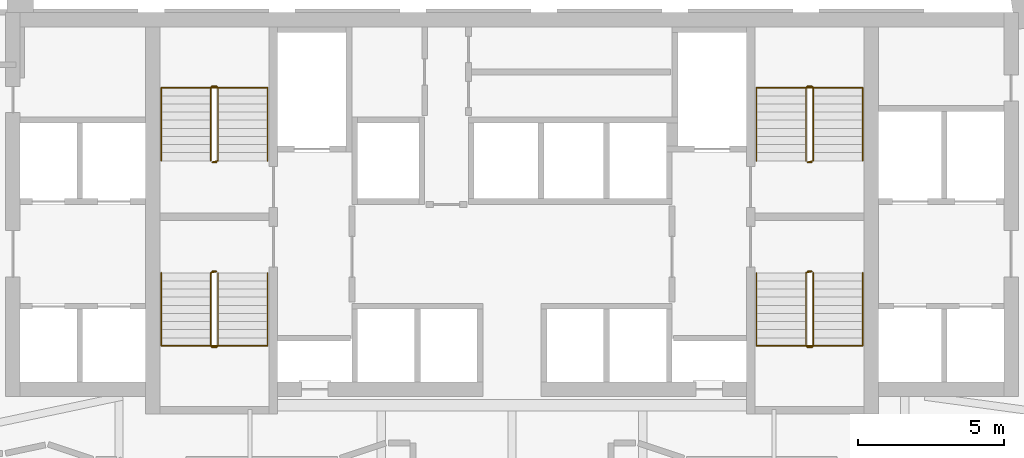
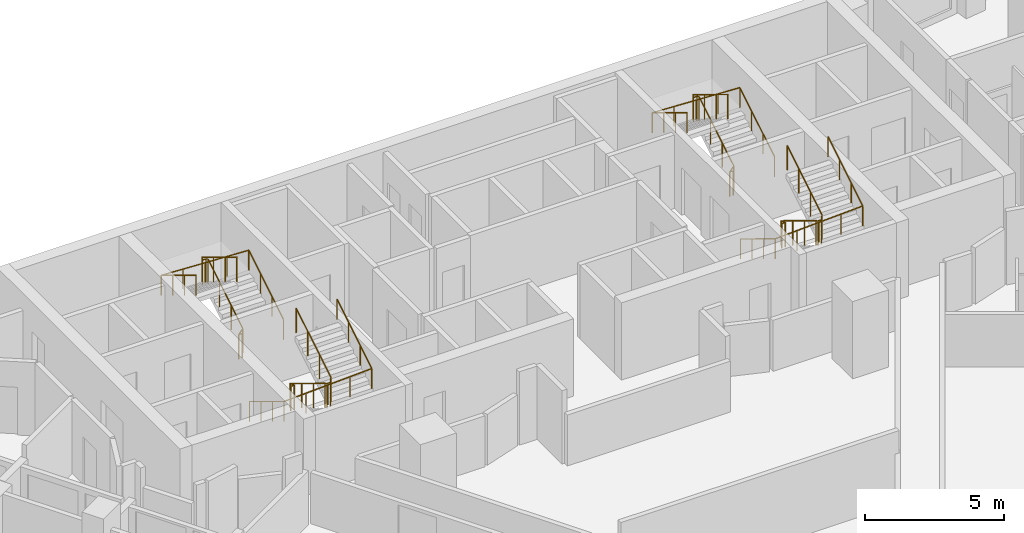
# One storey, part 11 of 11: 8 railings.
"""IFC4 building model written with IfcOpenShell, lengths in metres."""

from ifc_helpers import new_model, si_unit, direction, frame, origin, origin_2d, place, context, subcontext, project, spatial, circle, extrude, material, type_object, element, save


model = new_model("IFC4")

# Units and contexts
model_context = context("Model", 3, precision=1e-05, world=origin(), true_north=direction((0.0, 1.0)))
body_context = subcontext(model_context, "Body", "Model", "MODEL_VIEW")
ifc_project = project(units=[si_unit("LENGTHUNIT", "METRE"), si_unit("AREAUNIT", "SQUARE_METRE"), si_unit("VOLUMEUNIT", "CUBIC_METRE"), si_unit("PLANEANGLEUNIT", "RADIAN"), si_unit("MASSUNIT", "GRAM", prefix="KILO")], contexts=[model_context])

# Site, building, storey
site_placement = place(None, origin())
site = spatial("IfcSite", under=ifc_project, at=site_placement, CompositionType="ELEMENT")
building_placement = place(site_placement, origin())
building = spatial("IfcBuilding", under=site, at=building_placement, Name="Calabash Gate Tower", CompositionType="ELEMENT")
storey_placement = place(building_placement, frame((0.0, 0.0, 122.39990234375)))
storey = spatial("IfcBuildingStorey", under=building, at=storey_placement, Name="L28", CompositionType="ELEMENT", Elevation=122.39990234375)

# Railings
ifc_material_1 = material(Name="Black powder-coated steel balusters", Category="steel")
railing_type_1 = type_object("IfcRailingType", Name="Stair guard RL1100", PredefinedType="GUARDRAIL", material=ifc_material_1)
railing_1_placement = place(storey_placement, frame((-10.14990234375, 13.902587890625, 0.0)))
element("IfcRailing", 1, at=railing_1_placement, inside=storey, type_object=railing_type_1, Name="L28 ST1 stair guard 1", PredefinedType="GUARDRAIL", context=body_context, shape_type="SweptSolid", body=[
    extrude(circle(Radius=0.02392578125, at=origin_2d()), frame((0.0, 0.0, 1.076171875), z_axis=(-1.0, 0.0, 0.0), x_axis=(0.0, -1.0, 0.0)), (0.0, 0.0, 1.0), 0.150146484375),
    extrude(circle(Radius=0.02392578125, at=origin_2d()), frame((-0.150146484375, 0.0, 1.076171875), z_axis=(0.748079357382, 0.187248190798, 0.636643848712), x_axis=(-0.242814311512, 0.970072785993, 0.0)), (0.0, 0.0, 1.0), 0.267333984375),
    extrude(circle(Radius=0.02392578125, at=origin_2d()), frame((0.0498046875, 0.050048828125, 1.24609375), z_axis=(0.0, 0.853956361026, 0.520344629514), x_axis=(-1.0, 0.0, 0.0)), (0.0, 0.0, 1.0), 2.9404296875),
    extrude(circle(Radius=0.02392578125, at=origin_2d()), frame((0.0498046875, 2.56103515625, 2.7763671875), z_axis=(-0.705375805398, 0.708833529934, 0.0), x_axis=(-0.708833529934, -0.705375805398, 0.0)), (0.0, 0.0, 1.0), 0.070556640625),
    extrude(circle(Radius=0.02392578125, at=origin_2d()), frame((0.0, 2.611083984375, 2.7763671875), z_axis=(-1.0, 0.0, 0.0), x_axis=(0.0, -1.0, 0.0)), (0.0, 0.0, 1.0), 0.150146484375),
    extrude(circle(Radius=0.02392578125, at=origin_2d()), frame((-0.150146484375, 2.611083984375, 2.7763671875), z_axis=(-0.271895245746, -0.271895245746, 0.923117517265), x_axis=(0.707106781187, -0.707106781187, 0.0)), (0.0, 0.0, 1.0), 0.18408203125),
    extrude(circle(Radius=0.02392578125, at=origin_2d()), frame((-0.2001953125, 2.56103515625, 2.9462890625), z_axis=(0.0, -0.853956361026, 0.520344629514), x_axis=(1.0, 0.0, 0.0)), (0.0, 0.0, 1.0), 2.9404296875),
    extrude(circle(Radius=0.02099609375, at=origin_2d()), origin(), (0.0, 0.0, 1.0), 1.052001953125),
    extrude(circle(Radius=0.02099609375, at=origin_2d()), frame((-0.150146484375, 0.0, 0.0)), (0.0, 0.0, 1.0), 1.052001953125),
    extrude(circle(Radius=0.02099609375, at=origin_2d()), frame((0.0498046875, 0.050048828125, 0.170166015625)), (0.0, 0.0, 1.0), 1.052001953125),
    extrude(circle(Radius=0.02099609375, at=origin_2d()), frame((0.0498046875, 0.886962890625, 0.68017578125)), (0.0, 0.0, 1.0), 1.052001953125),
    extrude(circle(Radius=0.02099609375, at=origin_2d()), frame((0.0498046875, 1.72412109375, 1.190185546875)), (0.0, 0.0, 1.0), 1.052001953125),
    extrude(circle(Radius=0.02099609375, at=origin_2d()), frame((0.0498046875, 2.56103515625, 1.7001953125)), (0.0, 0.0, 1.0), 1.052001953125),
    extrude(circle(Radius=0.02099609375, at=origin_2d()), frame((0.0, 2.611083984375, 1.7001953125)), (0.0, 0.0, 1.0), 1.052001953125),
    extrude(circle(Radius=0.02099609375, at=origin_2d()), frame((-0.150146484375, 2.611083984375, 1.7001953125)), (0.0, 0.0, 1.0), 1.052001953125),
    extrude(circle(Radius=0.02099609375, at=origin_2d()), frame((-0.2001953125, 2.56103515625, 1.8701171875)), (0.0, 0.0, 1.0), 1.052001953125),
    extrude(circle(Radius=0.02099609375, at=origin_2d()), frame((-0.2001953125, 1.72412109375, 2.380126953125)), (0.0, 0.0, 1.0), 1.052001953125),
    extrude(circle(Radius=0.02099609375, at=origin_2d()), frame((-0.2001953125, 0.886962890625, 2.89013671875)), (0.0, 0.0, 1.0), 1.052001953125),
    extrude(circle(Radius=0.02099609375, at=origin_2d()), frame((-0.2001953125, 0.050048828125, 3.400146484375)), (0.0, 0.0, 1.0), 1.052001953125),
])
railing_2_placement = place(storey_placement, frame((-10.300048828125, 10.152587890625, 0.0)))
element("IfcRailing", 2, at=railing_2_placement, inside=storey, type_object=railing_type_1, Name="L28 ST2 stair guard 1", PredefinedType="GUARDRAIL", context=body_context, shape_type="SweptSolid", body=[
    extrude(circle(Radius=0.02392578125, at=origin_2d()), frame((0.0, 0.0, 1.076171875), z_axis=(1.0, 0.0, 0.0), x_axis=(0.0, 1.0, 0.0)), (0.0, 0.0, 1.0), 0.150146484375),
    extrude(circle(Radius=0.02392578125, at=origin_2d()), frame((0.150146484375, 0.0, 1.076171875), z_axis=(-0.748481188565, -0.187120297141, 0.63620901028), x_axis=(0.242535625036, -0.970142500145, 0.0)), (0.0, 0.0, 1.0), 0.267578125),
    extrude(circle(Radius=0.02392578125, at=origin_2d()), frame((-0.050048828125, -0.050048828125, 1.24609375), z_axis=(0.0, -0.853956361026, 0.520344629514), x_axis=(1.0, 0.0, 0.0)), (0.0, 0.0, 1.0), 2.9404296875),
    extrude(circle(Radius=0.02392578125, at=origin_2d()), frame((-0.050048828125, -2.56103515625, 2.7763671875), z_axis=(0.707106781187, -0.707106781187, 0.0), x_axis=(0.707106781187, 0.707106781187, 0.0)), (0.0, 0.0, 1.0), 0.07080078125),
    extrude(circle(Radius=0.02392578125, at=origin_2d()), frame((0.0, -2.611083984375, 2.7763671875), z_axis=(1.0, 0.0, 0.0), x_axis=(0.0, 1.0, 0.0)), (0.0, 0.0, 1.0), 0.150146484375),
    extrude(circle(Radius=0.02392578125, at=origin_2d()), frame((0.150146484375, -2.611083984375, 2.7763671875), z_axis=(0.270666314514, 0.271993110173, 0.92344977893), x_axis=(-0.708833529934, 0.705375805398, 0.0)), (0.0, 0.0, 1.0), 0.18408203125),
    extrude(circle(Radius=0.02392578125, at=origin_2d()), frame((0.199951171875, -2.56103515625, 2.9462890625), z_axis=(0.0, 0.853956361026, 0.520344629514), x_axis=(-1.0, 0.0, 0.0)), (0.0, 0.0, 1.0), 2.9404296875),
    extrude(circle(Radius=0.02099609375, at=origin_2d()), origin(), (0.0, 0.0, 1.0), 1.052001953125),
    extrude(circle(Radius=0.02099609375, at=origin_2d()), frame((0.150146484375, 0.0, 0.0)), (0.0, 0.0, 1.0), 1.052001953125),
    extrude(circle(Radius=0.02099609375, at=origin_2d()), frame((-0.050048828125, -0.050048828125, 0.170166015625)), (0.0, 0.0, 1.0), 1.052001953125),
    extrude(circle(Radius=0.02099609375, at=origin_2d()), frame((-0.050048828125, -0.886962890625, 0.68017578125)), (0.0, 0.0, 1.0), 1.052001953125),
    extrude(circle(Radius=0.02099609375, at=origin_2d()), frame((-0.050048828125, -1.72412109375, 1.190185546875)), (0.0, 0.0, 1.0), 1.052001953125),
    extrude(circle(Radius=0.02099609375, at=origin_2d()), frame((-0.050048828125, -2.56103515625, 1.7001953125)), (0.0, 0.0, 1.0), 1.052001953125),
    extrude(circle(Radius=0.02099609375, at=origin_2d()), frame((0.0, -2.611083984375, 1.7001953125)), (0.0, 0.0, 1.0), 1.052001953125),
    extrude(circle(Radius=0.02099609375, at=origin_2d()), frame((0.150146484375, -2.611083984375, 1.7001953125)), (0.0, 0.0, 1.0), 1.052001953125),
    extrude(circle(Radius=0.02099609375, at=origin_2d()), frame((0.199951171875, -2.56103515625, 1.8701171875)), (0.0, 0.0, 1.0), 1.052001953125),
    extrude(circle(Radius=0.02099609375, at=origin_2d()), frame((0.199951171875, -1.72412109375, 2.380126953125)), (0.0, 0.0, 1.0), 1.052001953125),
    extrude(circle(Radius=0.02099609375, at=origin_2d()), frame((0.199951171875, -0.886962890625, 2.89013671875)), (0.0, 0.0, 1.0), 1.052001953125),
    extrude(circle(Radius=0.02099609375, at=origin_2d()), frame((0.199951171875, -0.050048828125, 3.400146484375)), (0.0, 0.0, 1.0), 1.052001953125),
])
railing_3_placement = place(storey_placement, frame((10.300048828125, 13.902587890625, 0.0)))
element("IfcRailing", 3, at=railing_3_placement, inside=storey, type_object=railing_type_1, Name="L28 ST3 stair guard 1", PredefinedType="GUARDRAIL", context=body_context, shape_type="SweptSolid", body=[
    extrude(circle(Radius=0.02392578125, at=origin_2d()), frame((0.0, 0.0, 1.076171875), z_axis=(-1.0, 0.0, 0.0), x_axis=(0.0, -1.0, 0.0)), (0.0, 0.0, 1.0), 0.150146484375),
    extrude(circle(Radius=0.02392578125, at=origin_2d()), frame((-0.150146484375, 0.0, 1.076171875), z_axis=(0.748481188565, 0.187120297141, 0.63620901028), x_axis=(-0.242535625036, 0.970142500145, 0.0)), (0.0, 0.0, 1.0), 0.267578125),
    extrude(circle(Radius=0.02392578125, at=origin_2d()), frame((0.050048828125, 0.050048828125, 1.24609375), z_axis=(0.0, 0.853956361026, 0.520344629514), x_axis=(-1.0, 0.0, 0.0)), (0.0, 0.0, 1.0), 2.9404296875),
    extrude(circle(Radius=0.02392578125, at=origin_2d()), frame((0.050048828125, 2.56103515625, 2.7763671875), z_axis=(-0.707106781187, 0.707106781187, 0.0), x_axis=(-0.707106781187, -0.707106781187, 0.0)), (0.0, 0.0, 1.0), 0.07080078125),
    extrude(circle(Radius=0.02392578125, at=origin_2d()), frame((0.0, 2.611083984375, 2.7763671875), z_axis=(-1.0, 0.0, 0.0), x_axis=(0.0, -1.0, 0.0)), (0.0, 0.0, 1.0), 0.150146484375),
    extrude(circle(Radius=0.02392578125, at=origin_2d()), frame((-0.150146484375, 2.611083984375, 2.7763671875), z_axis=(-0.270666314514, -0.271993110173, 0.92344977893), x_axis=(0.708833529934, -0.705375805398, 0.0)), (0.0, 0.0, 1.0), 0.18408203125),
    extrude(circle(Radius=0.02392578125, at=origin_2d()), frame((-0.199951171875, 2.56103515625, 2.9462890625), z_axis=(0.0, -0.853956361026, 0.520344629514), x_axis=(1.0, 0.0, 0.0)), (0.0, 0.0, 1.0), 2.9404296875),
    extrude(circle(Radius=0.02099609375, at=origin_2d()), origin(), (0.0, 0.0, 1.0), 1.052001953125),
    extrude(circle(Radius=0.02099609375, at=origin_2d()), frame((-0.150146484375, 0.0, 0.0)), (0.0, 0.0, 1.0), 1.052001953125),
    extrude(circle(Radius=0.02099609375, at=origin_2d()), frame((0.050048828125, 0.050048828125, 0.170166015625)), (0.0, 0.0, 1.0), 1.052001953125),
    extrude(circle(Radius=0.02099609375, at=origin_2d()), frame((0.050048828125, 0.886962890625, 0.68017578125)), (0.0, 0.0, 1.0), 1.052001953125),
    extrude(circle(Radius=0.02099609375, at=origin_2d()), frame((0.050048828125, 1.72412109375, 1.190185546875)), (0.0, 0.0, 1.0), 1.052001953125),
    extrude(circle(Radius=0.02099609375, at=origin_2d()), frame((0.050048828125, 2.56103515625, 1.7001953125)), (0.0, 0.0, 1.0), 1.052001953125),
    extrude(circle(Radius=0.02099609375, at=origin_2d()), frame((0.0, 2.611083984375, 1.7001953125)), (0.0, 0.0, 1.0), 1.052001953125),
    extrude(circle(Radius=0.02099609375, at=origin_2d()), frame((-0.150146484375, 2.611083984375, 1.7001953125)), (0.0, 0.0, 1.0), 1.052001953125),
    extrude(circle(Radius=0.02099609375, at=origin_2d()), frame((-0.199951171875, 2.56103515625, 1.8701171875)), (0.0, 0.0, 1.0), 1.052001953125),
    extrude(circle(Radius=0.02099609375, at=origin_2d()), frame((-0.199951171875, 1.72412109375, 2.380126953125)), (0.0, 0.0, 1.0), 1.052001953125),
    extrude(circle(Radius=0.02099609375, at=origin_2d()), frame((-0.199951171875, 0.886962890625, 2.89013671875)), (0.0, 0.0, 1.0), 1.052001953125),
    extrude(circle(Radius=0.02099609375, at=origin_2d()), frame((-0.199951171875, 0.050048828125, 3.400146484375)), (0.0, 0.0, 1.0), 1.052001953125),
])
railing_4_placement = place(storey_placement, frame((10.14990234375, 10.152587890625, 0.0)))
element("IfcRailing", 4, at=railing_4_placement, inside=storey, type_object=railing_type_1, Name="L28 ST4 stair guard 1", PredefinedType="GUARDRAIL", context=body_context, shape_type="SweptSolid", body=[
    extrude(circle(Radius=0.02392578125, at=origin_2d()), frame((0.0, 0.0, 1.076171875), z_axis=(1.0, 0.0, 0.0), x_axis=(0.0, 1.0, 0.0)), (0.0, 0.0, 1.0), 0.150146484375),
    extrude(circle(Radius=0.02392578125, at=origin_2d()), frame((0.150146484375, 0.0, 1.076171875), z_axis=(-0.748079357382, -0.187248190798, 0.636643848712), x_axis=(0.242814311512, -0.970072785993, 0.0)), (0.0, 0.0, 1.0), 0.267333984375),
    extrude(circle(Radius=0.02392578125, at=origin_2d()), frame((-0.0498046875, -0.050048828125, 1.24609375), z_axis=(0.0, -0.853956361026, 0.520344629514), x_axis=(1.0, 0.0, 0.0)), (0.0, 0.0, 1.0), 2.9404296875),
    extrude(circle(Radius=0.02392578125, at=origin_2d()), frame((-0.0498046875, -2.56103515625, 2.7763671875), z_axis=(0.705375805398, -0.708833529934, 0.0), x_axis=(0.708833529934, 0.705375805398, 0.0)), (0.0, 0.0, 1.0), 0.070556640625),
    extrude(circle(Radius=0.02392578125, at=origin_2d()), frame((0.0, -2.611083984375, 2.7763671875), z_axis=(1.0, 0.0, 0.0), x_axis=(0.0, 1.0, 0.0)), (0.0, 0.0, 1.0), 0.150146484375),
    extrude(circle(Radius=0.02392578125, at=origin_2d()), frame((0.150146484375, -2.611083984375, 2.7763671875), z_axis=(0.271895245746, 0.271895245746, 0.923117517265), x_axis=(-0.707106781187, 0.707106781187, 0.0)), (0.0, 0.0, 1.0), 0.18408203125),
    extrude(circle(Radius=0.02392578125, at=origin_2d()), frame((0.2001953125, -2.56103515625, 2.9462890625), z_axis=(0.0, 0.853956361026, 0.520344629514), x_axis=(-1.0, 0.0, 0.0)), (0.0, 0.0, 1.0), 2.9404296875),
    extrude(circle(Radius=0.02099609375, at=origin_2d()), origin(), (0.0, 0.0, 1.0), 1.052001953125),
    extrude(circle(Radius=0.02099609375, at=origin_2d()), frame((0.150146484375, 0.0, 0.0)), (0.0, 0.0, 1.0), 1.052001953125),
    extrude(circle(Radius=0.02099609375, at=origin_2d()), frame((-0.0498046875, -0.050048828125, 0.170166015625)), (0.0, 0.0, 1.0), 1.052001953125),
    extrude(circle(Radius=0.02099609375, at=origin_2d()), frame((-0.0498046875, -0.886962890625, 0.68017578125)), (0.0, 0.0, 1.0), 1.052001953125),
    extrude(circle(Radius=0.02099609375, at=origin_2d()), frame((-0.0498046875, -1.72412109375, 1.190185546875)), (0.0, 0.0, 1.0), 1.052001953125),
    extrude(circle(Radius=0.02099609375, at=origin_2d()), frame((-0.0498046875, -2.56103515625, 1.7001953125)), (0.0, 0.0, 1.0), 1.052001953125),
    extrude(circle(Radius=0.02099609375, at=origin_2d()), frame((0.0, -2.611083984375, 1.7001953125)), (0.0, 0.0, 1.0), 1.052001953125),
    extrude(circle(Radius=0.02099609375, at=origin_2d()), frame((0.150146484375, -2.611083984375, 1.7001953125)), (0.0, 0.0, 1.0), 1.052001953125),
    extrude(circle(Radius=0.02099609375, at=origin_2d()), frame((0.2001953125, -2.56103515625, 1.8701171875)), (0.0, 0.0, 1.0), 1.052001953125),
    extrude(circle(Radius=0.02099609375, at=origin_2d()), frame((0.2001953125, -1.72412109375, 2.380126953125)), (0.0, 0.0, 1.0), 1.052001953125),
    extrude(circle(Radius=0.02099609375, at=origin_2d()), frame((0.2001953125, -0.886962890625, 2.89013671875)), (0.0, 0.0, 1.0), 1.052001953125),
    extrude(circle(Radius=0.02099609375, at=origin_2d()), frame((0.2001953125, -0.050048828125, 3.400146484375)), (0.0, 0.0, 1.0), 1.052001953125),
])
ifc_material_2 = material(Name="Black powder-coated steel tube 48 mm", Category="steel")
railing_type_2 = type_object("IfcRailingType", Name="Stair handrail RL900", PredefinedType="HANDRAIL", material=ifc_material_2)
railing_5_placement = place(storey_placement, frame((-8.39990234375, 13.95263671875, 0.170166015625)))
element("IfcRailing", 5, at=railing_5_placement, inside=storey, type_object=railing_type_2, Name="L28 ST1 stair handrail 1", PredefinedType="HANDRAIL", context=body_context, shape_type="SweptSolid", body=[
    extrude(circle(Radius=0.02392578125, at=origin_2d()), frame((0.0, 0.0, 0.8759765625), z_axis=(0.0, 0.853956361026, 0.520344629514), x_axis=(-1.0, 0.0, 0.0)), (0.0, 0.0, 1.0), 2.9404296875),
    extrude(circle(Radius=0.02392578125, at=origin_2d()), frame((0.0, 2.510986328125, 2.40576171875), z_axis=(-0.998918210324, 0.0, 0.046501710547), x_axis=(0.0, -1.0, 0.0)), (0.0, 0.0, 1.0), 3.654052734375),
    extrude(circle(Radius=0.02392578125, at=origin_2d()), frame((-3.650146484375, 2.510986328125, 2.57568359375), z_axis=(0.0, -0.853956361026, 0.520344629514), x_axis=(1.0, 0.0, 0.0)), (0.0, 0.0, 1.0), 2.9404296875),
    extrude(circle(Radius=0.02099609375, at=origin_2d()), origin(), (0.0, 0.0, 1.0), 0.851806640625),
    extrude(circle(Radius=0.02099609375, at=origin_2d()), frame((0.0, 0.8369140625, 0.510009765625)), (0.0, 0.0, 1.0), 0.851806640625),
    extrude(circle(Radius=0.02099609375, at=origin_2d()), frame((0.0, 1.674072265625, 1.02001953125)), (0.0, 0.0, 1.0), 0.851806640625),
    extrude(circle(Radius=0.02099609375, at=origin_2d()), frame((0.0, 2.510986328125, 1.530029296875)), (0.0, 0.0, 1.0), 0.851806640625),
    extrude(circle(Radius=0.02099609375, at=origin_2d()), frame((-0.91259765625, 2.510986328125, 1.572509765625)), (0.0, 0.0, 1.0), 0.851806640625),
    extrude(circle(Radius=0.02099609375, at=origin_2d()), frame((-1.8251953125, 2.510986328125, 1.614990234375)), (0.0, 0.0, 1.0), 0.851806640625),
    extrude(circle(Radius=0.02099609375, at=origin_2d()), frame((-2.737548828125, 2.510986328125, 1.657470703125)), (0.0, 0.0, 1.0), 0.851806640625),
    extrude(circle(Radius=0.02099609375, at=origin_2d()), frame((-3.650146484375, 2.510986328125, 1.699951171875)), (0.0, 0.0, 1.0), 0.851806640625),
    extrude(circle(Radius=0.02099609375, at=origin_2d()), frame((-3.650146484375, 1.674072265625, 2.2099609375)), (0.0, 0.0, 1.0), 0.851806640625),
    extrude(circle(Radius=0.02099609375, at=origin_2d()), frame((-3.650146484375, 0.8369140625, 2.719970703125)), (0.0, 0.0, 1.0), 0.851806640625),
    extrude(circle(Radius=0.02099609375, at=origin_2d()), frame((-3.650146484375, 0.0, 3.22998046875)), (0.0, 0.0, 1.0), 0.851806640625),
])
railing_6_placement = place(storey_placement, frame((-12.050048828125, 10.1025390625, 0.170166015625)))
element("IfcRailing", 6, at=railing_6_placement, inside=storey, type_object=railing_type_2, Name="L28 ST2 stair handrail 1", PredefinedType="HANDRAIL", context=body_context, shape_type="SweptSolid", body=[
    extrude(circle(Radius=0.02392578125, at=origin_2d()), frame((0.0, 0.0, 0.8759765625), z_axis=(0.0, -0.853956361026, 0.520344629514), x_axis=(1.0, 0.0, 0.0)), (0.0, 0.0, 1.0), 2.9404296875),
    extrude(circle(Radius=0.02392578125, at=origin_2d()), frame((0.0, -2.510986328125, 2.40576171875), z_axis=(0.998918210324, 0.0, 0.046501710547), x_axis=(0.0, 1.0, 0.0)), (0.0, 0.0, 1.0), 3.654052734375),
    extrude(circle(Radius=0.02392578125, at=origin_2d()), frame((3.650146484375, -2.510986328125, 2.57568359375), z_axis=(0.0, 0.853956361026, 0.520344629514), x_axis=(-1.0, 0.0, 0.0)), (0.0, 0.0, 1.0), 2.9404296875),
    extrude(circle(Radius=0.02099609375, at=origin_2d()), origin(), (0.0, 0.0, 1.0), 0.851806640625),
    extrude(circle(Radius=0.02099609375, at=origin_2d()), frame((0.0, -0.8369140625, 0.510009765625)), (0.0, 0.0, 1.0), 0.851806640625),
    extrude(circle(Radius=0.02099609375, at=origin_2d()), frame((0.0, -1.674072265625, 1.02001953125)), (0.0, 0.0, 1.0), 0.851806640625),
    extrude(circle(Radius=0.02099609375, at=origin_2d()), frame((0.0, -2.510986328125, 1.530029296875)), (0.0, 0.0, 1.0), 0.851806640625),
    extrude(circle(Radius=0.02099609375, at=origin_2d()), frame((0.91259765625, -2.510986328125, 1.572509765625)), (0.0, 0.0, 1.0), 0.851806640625),
    extrude(circle(Radius=0.02099609375, at=origin_2d()), frame((1.8251953125, -2.510986328125, 1.614990234375)), (0.0, 0.0, 1.0), 0.851806640625),
    extrude(circle(Radius=0.02099609375, at=origin_2d()), frame((2.737548828125, -2.510986328125, 1.657470703125)), (0.0, 0.0, 1.0), 0.851806640625),
    extrude(circle(Radius=0.02099609375, at=origin_2d()), frame((3.650146484375, -2.510986328125, 1.699951171875)), (0.0, 0.0, 1.0), 0.851806640625),
    extrude(circle(Radius=0.02099609375, at=origin_2d()), frame((3.650146484375, -1.674072265625, 2.2099609375)), (0.0, 0.0, 1.0), 0.851806640625),
    extrude(circle(Radius=0.02099609375, at=origin_2d()), frame((3.650146484375, -0.8369140625, 2.719970703125)), (0.0, 0.0, 1.0), 0.851806640625),
    extrude(circle(Radius=0.02099609375, at=origin_2d()), frame((3.650146484375, 0.0, 3.22998046875)), (0.0, 0.0, 1.0), 0.851806640625),
])
railing_7_placement = place(storey_placement, frame((12.050048828125, 13.95263671875, 0.170166015625)))
element("IfcRailing", 7, at=railing_7_placement, inside=storey, type_object=railing_type_2, Name="L28 ST3 stair handrail 1", PredefinedType="HANDRAIL", context=body_context, shape_type="SweptSolid", body=[
    extrude(circle(Radius=0.02392578125, at=origin_2d()), frame((0.0, 0.0, 0.8759765625), z_axis=(0.0, 0.853956361026, 0.520344629514), x_axis=(-1.0, 0.0, 0.0)), (0.0, 0.0, 1.0), 2.9404296875),
    extrude(circle(Radius=0.02392578125, at=origin_2d()), frame((0.0, 2.510986328125, 2.40576171875), z_axis=(-0.998918210324, 0.0, 0.046501710547), x_axis=(0.0, -1.0, 0.0)), (0.0, 0.0, 1.0), 3.654052734375),
    extrude(circle(Radius=0.02392578125, at=origin_2d()), frame((-3.650146484375, 2.510986328125, 2.57568359375), z_axis=(0.0, -0.853956361026, 0.520344629514), x_axis=(1.0, 0.0, 0.0)), (0.0, 0.0, 1.0), 2.9404296875),
    extrude(circle(Radius=0.02099609375, at=origin_2d()), origin(), (0.0, 0.0, 1.0), 0.851806640625),
    extrude(circle(Radius=0.02099609375, at=origin_2d()), frame((0.0, 0.8369140625, 0.510009765625)), (0.0, 0.0, 1.0), 0.851806640625),
    extrude(circle(Radius=0.02099609375, at=origin_2d()), frame((0.0, 1.674072265625, 1.02001953125)), (0.0, 0.0, 1.0), 0.851806640625),
    extrude(circle(Radius=0.02099609375, at=origin_2d()), frame((0.0, 2.510986328125, 1.530029296875)), (0.0, 0.0, 1.0), 0.851806640625),
    extrude(circle(Radius=0.02099609375, at=origin_2d()), frame((-0.91259765625, 2.510986328125, 1.572509765625)), (0.0, 0.0, 1.0), 0.851806640625),
    extrude(circle(Radius=0.02099609375, at=origin_2d()), frame((-1.8251953125, 2.510986328125, 1.614990234375)), (0.0, 0.0, 1.0), 0.851806640625),
    extrude(circle(Radius=0.02099609375, at=origin_2d()), frame((-2.737548828125, 2.510986328125, 1.657470703125)), (0.0, 0.0, 1.0), 0.851806640625),
    extrude(circle(Radius=0.02099609375, at=origin_2d()), frame((-3.650146484375, 2.510986328125, 1.699951171875)), (0.0, 0.0, 1.0), 0.851806640625),
    extrude(circle(Radius=0.02099609375, at=origin_2d()), frame((-3.650146484375, 1.674072265625, 2.2099609375)), (0.0, 0.0, 1.0), 0.851806640625),
    extrude(circle(Radius=0.02099609375, at=origin_2d()), frame((-3.650146484375, 0.8369140625, 2.719970703125)), (0.0, 0.0, 1.0), 0.851806640625),
    extrude(circle(Radius=0.02099609375, at=origin_2d()), frame((-3.650146484375, 0.0, 3.22998046875)), (0.0, 0.0, 1.0), 0.851806640625),
])
railing_8_placement = place(storey_placement, frame((8.39990234375, 10.1025390625, 0.170166015625)))
element("IfcRailing", 8, at=railing_8_placement, inside=storey, type_object=railing_type_2, Name="L28 ST4 stair handrail 1", PredefinedType="HANDRAIL", context=body_context, shape_type="SweptSolid", body=[
    extrude(circle(Radius=0.02392578125, at=origin_2d()), frame((0.0, 0.0, 0.8759765625), z_axis=(0.0, -0.853956361026, 0.520344629514), x_axis=(1.0, 0.0, 0.0)), (0.0, 0.0, 1.0), 2.9404296875),
    extrude(circle(Radius=0.02392578125, at=origin_2d()), frame((0.0, -2.510986328125, 2.40576171875), z_axis=(0.998918210324, 0.0, 0.046501710547), x_axis=(0.0, 1.0, 0.0)), (0.0, 0.0, 1.0), 3.654052734375),
    extrude(circle(Radius=0.02392578125, at=origin_2d()), frame((3.650146484375, -2.510986328125, 2.57568359375), z_axis=(0.0, 0.853956361026, 0.520344629514), x_axis=(-1.0, 0.0, 0.0)), (0.0, 0.0, 1.0), 2.9404296875),
    extrude(circle(Radius=0.02099609375, at=origin_2d()), origin(), (0.0, 0.0, 1.0), 0.851806640625),
    extrude(circle(Radius=0.02099609375, at=origin_2d()), frame((0.0, -0.8369140625, 0.510009765625)), (0.0, 0.0, 1.0), 0.851806640625),
    extrude(circle(Radius=0.02099609375, at=origin_2d()), frame((0.0, -1.674072265625, 1.02001953125)), (0.0, 0.0, 1.0), 0.851806640625),
    extrude(circle(Radius=0.02099609375, at=origin_2d()), frame((0.0, -2.510986328125, 1.530029296875)), (0.0, 0.0, 1.0), 0.851806640625),
    extrude(circle(Radius=0.02099609375, at=origin_2d()), frame((0.91259765625, -2.510986328125, 1.572509765625)), (0.0, 0.0, 1.0), 0.851806640625),
    extrude(circle(Radius=0.02099609375, at=origin_2d()), frame((1.8251953125, -2.510986328125, 1.614990234375)), (0.0, 0.0, 1.0), 0.851806640625),
    extrude(circle(Radius=0.02099609375, at=origin_2d()), frame((2.737548828125, -2.510986328125, 1.657470703125)), (0.0, 0.0, 1.0), 0.851806640625),
    extrude(circle(Radius=0.02099609375, at=origin_2d()), frame((3.650146484375, -2.510986328125, 1.699951171875)), (0.0, 0.0, 1.0), 0.851806640625),
    extrude(circle(Radius=0.02099609375, at=origin_2d()), frame((3.650146484375, -1.674072265625, 2.2099609375)), (0.0, 0.0, 1.0), 0.851806640625),
    extrude(circle(Radius=0.02099609375, at=origin_2d()), frame((3.650146484375, -0.8369140625, 2.719970703125)), (0.0, 0.0, 1.0), 0.851806640625),
    extrude(circle(Radius=0.02099609375, at=origin_2d()), frame((3.650146484375, 0.0, 3.22998046875)), (0.0, 0.0, 1.0), 0.851806640625),
])

save(model, "model.ifc")
